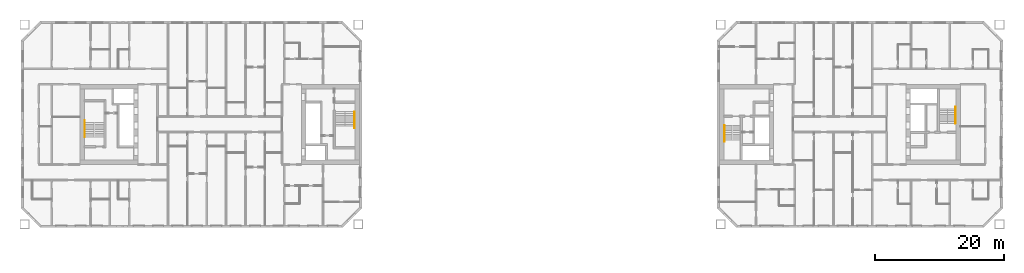
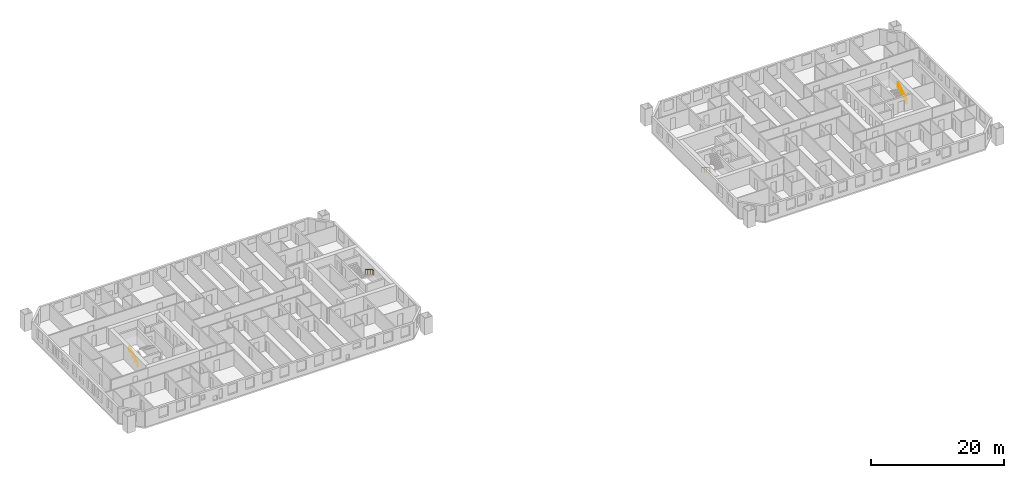
# One storey, part 17 of 17: 4 railings.
"""IFC4 building model written with IfcOpenShell, lengths in metres."""

from ifc_helpers import new_model, si_unit, direction, frame, origin, origin_2d, place, context, subcontext, project, spatial, circle, extrude, material, type_object, element, save


model = new_model("IFC4")

# Units and contexts
model_context = context("Model", 3, precision=1e-05, world=origin(), true_north=direction((0.0, 1.0)))
body_context = subcontext(model_context, "Body", "Model", "MODEL_VIEW")
ifc_project = project(units=[si_unit("LENGTHUNIT", "METRE"), si_unit("AREAUNIT", "SQUARE_METRE"), si_unit("VOLUMEUNIT", "CUBIC_METRE"), si_unit("PLANEANGLEUNIT", "RADIAN"), si_unit("MASSUNIT", "GRAM", prefix="KILO")], contexts=[model_context])

# Site, building, storey
site_placement = place(None, origin())
site = spatial("IfcSite", under=ifc_project, at=site_placement, CompositionType="ELEMENT")
building_placement = place(site_placement, origin())
building = spatial("IfcBuilding", under=site, at=building_placement, Name="Tuart Gate Housing", CompositionType="ELEMENT")
storey_placement = place(building_placement, frame((0.0, 0.0, 77.800048828125)))
storey = spatial("IfcBuildingStorey", under=building, at=storey_placement, Name="L21", CompositionType="ELEMENT", Elevation=77.800048828125)

# Railings
ifc_material = material(Name="Stainless steel", Category="steel")
railing_type = type_object("IfcRailingType", Name="Stair handrail 900", PredefinedType="HANDRAIL", material=ifc_material)
railing_1_placement = place(storey_placement, frame((74.8798828125, 71.949951171875, 0.172119140625)))
element("IfcRailing", 1, at=railing_1_placement, inside=storey, type_object=railing_type, Name="Stair handrail SA1.1", PredefinedType="HANDRAIL", context=body_context, shape_type="SweptSolid", body=[
    extrude(circle(Radius=0.02392578125, at=origin_2d()), frame((0.0, 0.0, 0.8759765625), z_axis=(0.0, -0.851747552033, 0.523952390591), x_axis=(1.0, 0.0, 0.0)), (0.0, 0.0, 1.0), 2.6298828125),
    extrude(circle(Radius=0.02392578125, at=origin_2d()), frame((0.0, -2.239990234375, 2.25390625), z_axis=(0.0, -1.0, 0.0), x_axis=(1.0, 0.0, 0.0)), (0.0, 0.0, 1.0), 0.300048828125),
    extrude(circle(Radius=0.02099609375, at=origin_2d()), origin(), (0.0, 0.0, 1.0), 0.851806640625),
    extrude(circle(Radius=0.02099609375, at=origin_2d()), frame((0.0, -0.74658203125, 0.459228515625)), (0.0, 0.0, 1.0), 0.851806640625),
    extrude(circle(Radius=0.02099609375, at=origin_2d()), frame((0.0, -1.493408203125, 0.918701171875)), (0.0, 0.0, 1.0), 0.851806640625),
    extrude(circle(Radius=0.02099609375, at=origin_2d()), frame((0.0, -2.239990234375, 1.3779296875)), (0.0, 0.0, 1.0), 0.851806640625),
    extrude(circle(Radius=0.02099609375, at=origin_2d()), frame((0.0, -2.5400390625, 1.3779296875)), (0.0, 0.0, 1.0), 0.851806640625),
])
railing_2_placement = place(storey_placement, frame((33.1201171875, 68.050048828125, 0.172119140625)))
element("IfcRailing", 2, at=railing_2_placement, inside=storey, type_object=railing_type, Name="Stair handrail SA2.1", PredefinedType="HANDRAIL", context=body_context, shape_type="SweptSolid", body=[
    extrude(circle(Radius=0.02392578125, at=origin_2d()), frame((0.0, 0.0, 0.8759765625), z_axis=(0.0, 0.851747552033, 0.523952390591), x_axis=(-1.0, 0.0, 0.0)), (0.0, 0.0, 1.0), 2.6298828125),
    extrude(circle(Radius=0.02392578125, at=origin_2d()), frame((0.0, 2.239990234375, 2.25390625), z_axis=(0.0, 1.0, 0.0), x_axis=(-1.0, 0.0, 0.0)), (0.0, 0.0, 1.0), 0.300048828125),
    extrude(circle(Radius=0.02099609375, at=origin_2d()), origin(), (0.0, 0.0, 1.0), 0.851806640625),
    extrude(circle(Radius=0.02099609375, at=origin_2d()), frame((0.0, 0.74658203125, 0.459228515625)), (0.0, 0.0, 1.0), 0.851806640625),
    extrude(circle(Radius=0.02099609375, at=origin_2d()), frame((0.0, 1.493408203125, 0.918701171875)), (0.0, 0.0, 1.0), 0.851806640625),
    extrude(circle(Radius=0.02099609375, at=origin_2d()), frame((0.0, 2.239990234375, 1.3779296875)), (0.0, 0.0, 1.0), 0.851806640625),
    extrude(circle(Radius=0.02099609375, at=origin_2d()), frame((0.0, 2.5400390625, 1.3779296875)), (0.0, 0.0, 1.0), 0.851806640625),
])
railing_3_placement = place(storey_placement, frame((132.1201171875, 69.85009765625, 0.172119140625)))
element("IfcRailing", 3, at=railing_3_placement, inside=storey, type_object=railing_type, Name="Stair handrail SB1.1", PredefinedType="HANDRAIL", context=body_context, shape_type="SweptSolid", body=[
    extrude(circle(Radius=0.02392578125, at=origin_2d()), frame((0.0, 0.0, 0.8759765625), z_axis=(0.0, -0.851747552033, 0.523952390591), x_axis=(1.0, 0.0, 0.0)), (0.0, 0.0, 1.0), 2.6298828125),
    extrude(circle(Radius=0.02392578125, at=origin_2d()), frame((0.0, -2.239990234375, 2.25390625), z_axis=(0.0, -1.0, 0.0), x_axis=(1.0, 0.0, 0.0)), (0.0, 0.0, 1.0), 0.300048828125),
    extrude(circle(Radius=0.02099609375, at=origin_2d()), origin(), (0.0, 0.0, 1.0), 0.851806640625),
    extrude(circle(Radius=0.02099609375, at=origin_2d()), frame((0.0, -0.74658203125, 0.459228515625)), (0.0, 0.0, 1.0), 0.851806640625),
    extrude(circle(Radius=0.02099609375, at=origin_2d()), frame((0.0, -1.493408203125, 0.918701171875)), (0.0, 0.0, 1.0), 0.851806640625),
    extrude(circle(Radius=0.02099609375, at=origin_2d()), frame((0.0, -2.239990234375, 1.3779296875)), (0.0, 0.0, 1.0), 0.851806640625),
    extrude(circle(Radius=0.02099609375, at=origin_2d()), frame((0.0, -2.5400390625, 1.3779296875)), (0.0, 0.0, 1.0), 0.851806640625),
])
railing_4_placement = place(storey_placement, frame((167.8798828125, 70.14990234375, 0.172119140625)))
element("IfcRailing", 4, at=railing_4_placement, inside=storey, type_object=railing_type, Name="Stair handrail SB2.1", PredefinedType="HANDRAIL", context=body_context, shape_type="SweptSolid", body=[
    extrude(circle(Radius=0.02392578125, at=origin_2d()), frame((0.0, 0.0, 0.8759765625), z_axis=(0.0, 0.851747552033, 0.523952390591), x_axis=(-1.0, 0.0, 0.0)), (0.0, 0.0, 1.0), 2.6298828125),
    extrude(circle(Radius=0.02392578125, at=origin_2d()), frame((0.0, 2.239990234375, 2.25390625), z_axis=(0.0, 1.0, 0.0), x_axis=(-1.0, 0.0, 0.0)), (0.0, 0.0, 1.0), 0.300048828125),
    extrude(circle(Radius=0.02099609375, at=origin_2d()), origin(), (0.0, 0.0, 1.0), 0.851806640625),
    extrude(circle(Radius=0.02099609375, at=origin_2d()), frame((0.0, 0.74658203125, 0.459228515625)), (0.0, 0.0, 1.0), 0.851806640625),
    extrude(circle(Radius=0.02099609375, at=origin_2d()), frame((0.0, 1.493408203125, 0.918701171875)), (0.0, 0.0, 1.0), 0.851806640625),
    extrude(circle(Radius=0.02099609375, at=origin_2d()), frame((0.0, 2.239990234375, 1.3779296875)), (0.0, 0.0, 1.0), 0.851806640625),
    extrude(circle(Radius=0.02099609375, at=origin_2d()), frame((0.0, 2.5400390625, 1.3779296875)), (0.0, 0.0, 1.0), 0.851806640625),
])

save(model, "model.ifc")
